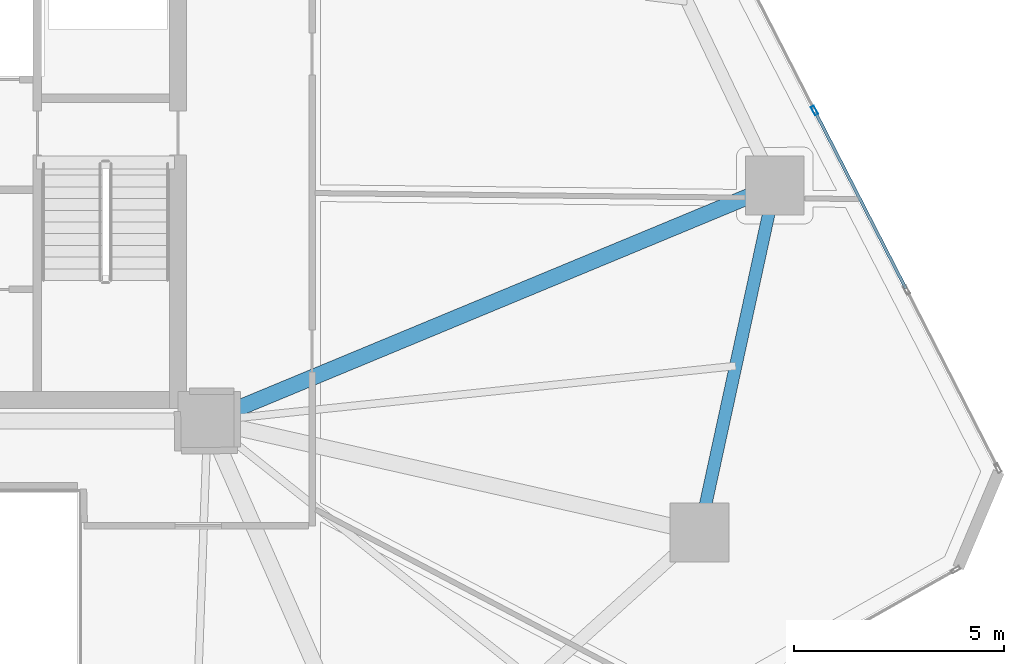
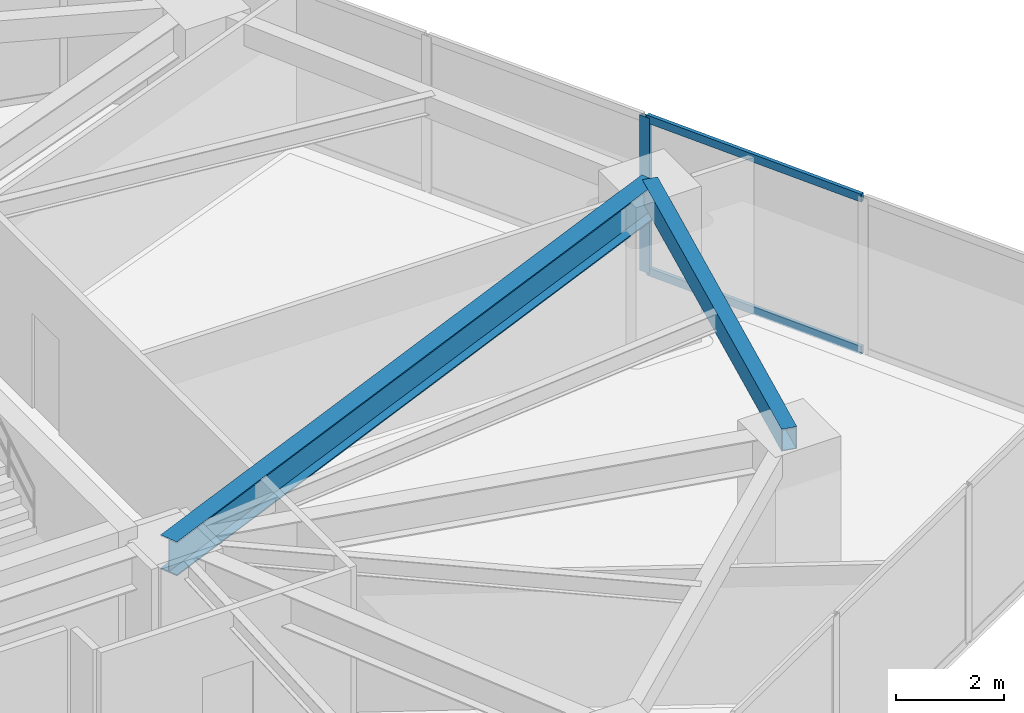
# One storey, part 11 of 23: 3 members, 2 beams, 1 element without a shape of its own.
"""IFC4 building model written with IfcOpenShell, lengths in metres."""

import ifcopenshell
import ifcopenshell.guid

model = None  # the IFC model being written
_history = None  # IfcOwnerHistory: only IFC2X3 demands one
_inside = {}  # id of a spatial element -> (the spatial element, [elements in it])
_under = {}  # id of a project, library or spatial element -> (it, [spatial elements below it])
_declared = {}  # id of a project -> (the project, [libraries it declares])
_typed = {}  # id of a type object -> (the type object, [elements of that type])
_made_of = {}  # id of a material, layer set ... -> (it, [elements and type objects made of it])


def new_model(schema):
    """Start an empty IFC model of exactly this schema.

    Asked for "IFC4X3", IfcOpenShell would pick the latest addendum, in which some entities
    have other attributes; the version numbers below select the first issue.
    IFC2X3 requires an IfcOwnerHistory on every rooted entity: one is made here for all.
    """
    global model, _history
    if schema == "IFC4X3":
        model = ifcopenshell.file(schema_version=(4, 3, 0, 0))
    else:
        model = ifcopenshell.file(schema=schema)
    _inside.clear()
    _under.clear()
    _declared.clear()
    _typed.clear()
    _made_of.clear()
    _history = None
    if model.schema == "IFC2X3":
        org = make("IfcOrganization", Name="unknown")
        user = make(
            "IfcPersonAndOrganization",
            ThePerson=make("IfcPerson", FamilyName="unknown"),
            TheOrganization=org,
        )
        app = make(
            "IfcApplication",
            ApplicationDeveloper=org,
            Version="unknown",
            ApplicationFullName="unknown",
            ApplicationIdentifier="unknown",
        )
        _history = make(
            "IfcOwnerHistory",
            OwningUser=user,
            OwningApplication=app,
            ChangeAction="ADDED",
            CreationDate=0,
        )
    return model


def make(cls, **values):
    """One entity of the class cls with the attributes given. An attribute that is None is left unset."""
    return model.create_entity(
        cls, **{name: value for name, value in values.items() if value is not None}
    )


def rooted(cls, **values):
    """An entity with a GlobalId (a new one), such as an element, a storey or a relation."""
    return make(cls, GlobalId=ifcopenshell.guid.new(), OwnerHistory=_history, **values)


def si_unit(unit_type, name, prefix=None):
    """IfcSIUnit, for example si_unit("LENGTHUNIT", "METRE", prefix="MILLI")."""
    return make("IfcSIUnit", UnitType=unit_type, Prefix=prefix, Name=name)


def assignment(units):
    """IfcUnitAssignment: the units of a project."""
    return None if units is None else make("IfcUnitAssignment", Units=units)


def point(xyz):
    """IfcCartesianPoint."""
    return None if xyz is None else make("IfcCartesianPoint", Coordinates=xyz)


def direction(xyz):
    """IfcDirection."""
    return None if xyz is None else make("IfcDirection", DirectionRatios=xyz)


def frame(location, z_axis=None, x_axis=None):
    """IfcAxis2Placement3D, a coordinate frame: its origin and axes. An axis left out is left unset."""
    return make(
        "IfcAxis2Placement3D",
        Location=point(location),
        Axis=direction(z_axis),
        RefDirection=direction(x_axis),
    )


def frame_2d(location, x_axis=None):
    """IfcAxis2Placement2D, a coordinate frame in the plane: its origin and x axis."""
    return make(
        "IfcAxis2Placement2D", Location=point(location), RefDirection=direction(x_axis)
    )


def origin():
    """The frame at (0, 0, 0) with its axes left unset."""
    return frame((0.0, 0.0, 0.0))


def origin_2d():
    """The frame at (0, 0) in the plane with its x axis left unset."""
    return frame_2d((0.0, 0.0))


def place(relative_to, where):
    """IfcLocalPlacement: puts the frame where relative to a parent placement (None: the world)."""
    return make(
        "IfcLocalPlacement", PlacementRelTo=relative_to, RelativePlacement=where
    )


def context(
    kind, dimensions, precision=None, world=None, true_north=None, identifier=None
):
    """IfcGeometricRepresentationContext, for example the 3D "Model" context."""
    return make(
        "IfcGeometricRepresentationContext",
        ContextIdentifier=identifier,
        ContextType=kind,
        CoordinateSpaceDimension=dimensions,
        Precision=precision,
        WorldCoordinateSystem=world,
        TrueNorth=true_north,
    )


def subcontext(parent, identifier, kind, view, scale=None):
    """IfcGeometricRepresentationSubContext, for example "Body" below "Model"."""
    return make(
        "IfcGeometricRepresentationSubContext",
        ContextIdentifier=identifier,
        ContextType=kind,
        ParentContext=parent,
        TargetScale=scale,
        TargetView=view,
    )


def project(units=None, contexts=None):
    """IfcProject with its units and contexts."""
    return rooted(
        "IfcProject",
        Name="project",
        RepresentationContexts=contexts,
        UnitsInContext=assignment(units),
    )


def spatial(cls, under=None, at=None, **own):
    """A site, building, storey or space (cls), placed at a placement, below another one or the project."""
    s = rooted(cls, ObjectPlacement=at, **own)
    if under is not None:
        _under.setdefault(under.id(), (under, []))[1].append(s)
    return s


def profile(cls, at=None, kind="AREA", **sizes):
    """A parametric profile (cls). Its sizes go by their IFC names, for example OverallWidth=200.0."""
    return make(cls, ProfileType=kind, Position=at, **sizes)


def hollow_rectangle(**sizes):
    """IfcRectangleHollowProfileDef."""
    return profile("IfcRectangleHollowProfileDef", **sizes)


def i_section(**sizes):
    """IfcIShapeProfileDef."""
    return profile("IfcIShapeProfileDef", **sizes)


def extrude(swept, where, along, depth):
    """IfcExtrudedAreaSolid: the profile swept, set in the frame where, extruded along a direction by depth."""
    return make(
        "IfcExtrudedAreaSolid",
        SweptArea=swept,
        Position=where,
        ExtrudedDirection=direction(along),
        Depth=depth,
    )


def shape(context_of_items, identifier, shape_type, items):
    """IfcShapeRepresentation: the items that make up one representation, for example the "Body"."""
    return make(
        "IfcShapeRepresentation",
        ContextOfItems=context_of_items,
        RepresentationIdentifier=identifier,
        RepresentationType=shape_type,
        Items=items,
    )


def source(mapping_origin, context_of_items, identifier, shape_type, items):
    """IfcRepresentationMap: a shape defined once, which mapped items show again and again."""
    return make(
        "IfcRepresentationMap",
        MappingOrigin=mapping_origin,
        MappedRepresentation=shape(context_of_items, identifier, shape_type, items),
    )


def transform(
    local_origin,
    x_axis=None,
    y_axis=None,
    z_axis=None,
    scale=None,
    scale2=None,
    scale3=None,
    uniform=True,
):
    """IfcCartesianTransformationOperator3D, or its non-uniform kind. x_axis, y_axis, z_axis: its Axis1, 2, 3."""
    if uniform:
        return make(
            "IfcCartesianTransformationOperator3D",
            Axis1=direction(x_axis),
            Axis2=direction(y_axis),
            LocalOrigin=point(local_origin),
            Scale=scale,
            Axis3=direction(z_axis),
        )
    return make(
        "IfcCartesianTransformationOperator3DnonUniform",
        Axis1=direction(x_axis),
        Axis2=direction(y_axis),
        LocalOrigin=point(local_origin),
        Scale=scale,
        Axis3=direction(z_axis),
        Scale2=scale2,
        Scale3=scale3,
    )


def mapped(mapping_source, mapping_target):
    """IfcMappedItem: shows the shape of a source again, moved by a transform."""
    return make(
        "IfcMappedItem", MappingSource=mapping_source, MappingTarget=mapping_target
    )


def material(Name=None, Category=None):
    """IfcMaterial."""
    return make("IfcMaterial", Name=Name, Category=Category)


def layer(
    of_material, thickness, ventilated=None, Name=None, Category=None, Priority=None
):
    """IfcMaterialLayer: one layer of a wall or slab, of a material (None: an air gap)."""
    return make(
        "IfcMaterialLayer",
        Material=of_material,
        LayerThickness=thickness,
        IsVentilated=ventilated,
        Name=Name,
        Category=Category,
        Priority=Priority,
    )


def layer_set(layers, Name=None):
    """IfcMaterialLayerSet."""
    return make("IfcMaterialLayerSet", MaterialLayers=layers, LayerSetName=Name)


def material_profile(
    of_material, cross_section, Name=None, Category=None, Priority=None
):
    """IfcMaterialProfile: a cross section and its material."""
    return make(
        "IfcMaterialProfile",
        Name=Name,
        Material=of_material,
        Profile=cross_section,
        Priority=Priority,
        Category=Category,
    )


def profile_set(profiles, Name=None, composite=None):
    """IfcMaterialProfileSet."""
    return make(
        "IfcMaterialProfileSet",
        Name=Name,
        MaterialProfiles=profiles,
        CompositeProfile=composite,
    )


def made_of(thing, what):
    """Note that an element or type object is made of a material, layer set ...; save() writes the relation."""
    if what is not None:
        _made_of.setdefault(what.id(), (what, []))[1].append(thing)
    return thing


def type_object(cls, material=None, **own):
    """A type object (cls), such as IfcWallType, which elements share."""
    return made_of(rooted(cls, **own), material)


def type_shapes(of_type, sources):
    """Give a type object the sources (RepresentationMaps) that its elements show as mapped items."""
    of_type.RepresentationMaps = sources


def element(
    cls,
    number,
    at=None,
    inside=None,
    cuts=None,
    type_object=None,
    material=None,
    context=None,
    identifier="Body",
    shape_type=None,
    held_by="IfcProductDefinitionShape",
    body=None,
    shapes=None,
    **own,
):
    """One element of the class cls, such as IfcWall. Its Tag is "e" and its number.

    at: its placement. inside: the storey or other place that contains it. cuts: it is an
    opening in that element (IfcRelVoidsElement). A single representation is given by context,
    identifier, shape_type and body (its items); several are given by shapes. held_by: the class
    of the entity that holds the representations. save() writes the other relations.
    """
    e = rooted(cls, Tag="e%d" % number, ObjectPlacement=at, **own)
    if body is not None:
        shapes = [shape(context, identifier, shape_type, body)]
    if shapes is not None:
        e.Representation = make(held_by, Representations=shapes)
    if inside is not None:
        _inside.setdefault(inside.id(), (inside, []))[1].append(e)
    if cuts is not None:
        rooted(
            "IfcRelVoidsElement", RelatingBuildingElement=cuts, RelatedOpeningElement=e
        )
    if type_object is not None:
        _typed.setdefault(type_object.id(), (type_object, []))[1].append(e)
    return made_of(e, material)


def aggregate(whole, parts):
    """IfcRelAggregates: a whole, such as a stair, and the parts it consists of."""
    return rooted("IfcRelAggregates", RelatingObject=whole, RelatedObjects=parts)


def save(model, path):
    """Write the relations noted so far, then the file.

    IfcRelAggregates (storeys below a building ...), IfcRelContainedInSpatialStructure (elements
    in a storey), IfcRelDefinesByType, IfcRelAssociatesMaterial and IfcRelDeclares: one each for
    every whole, place, type object, material and project.
    """
    for whole, parts in _under.values():
        aggregate(whole, parts)
    for where, things in _inside.values():
        rooted(
            "IfcRelContainedInSpatialStructure",
            RelatedElements=things,
            RelatingStructure=where,
        )
    for kind, things in _typed.values():
        rooted("IfcRelDefinesByType", RelatedObjects=things, RelatingType=kind)
    for what, things in _made_of.values():
        rooted("IfcRelAssociatesMaterial", RelatedObjects=things, RelatingMaterial=what)
    for by, libraries in _declared.values():
        rooted("IfcRelDeclares", RelatingContext=by, RelatedDefinitions=libraries)
    model.write(path)


model = new_model("IFC4")

# Units and contexts
model_context = context("Model", 3, precision=1e-05, world=origin(), true_north=direction((0.0, 1.0)))
body_context = subcontext(model_context, "Body", "Model", "MODEL_VIEW")
ifc_project = project(units=[si_unit("LENGTHUNIT", "METRE"), si_unit("AREAUNIT", "SQUARE_METRE"), si_unit("VOLUMEUNIT", "CUBIC_METRE"), si_unit("PLANEANGLEUNIT", "RADIAN"), si_unit("MASSUNIT", "GRAM", prefix="KILO")], contexts=[model_context])

# Site, building, storey
site_placement = place(None, origin())
site = spatial("IfcSite", under=ifc_project, at=site_placement, CompositionType="ELEMENT")
building_placement = place(site_placement, origin())
building = spatial("IfcBuilding", under=site, at=building_placement, Name="Talar Marvaseh", CompositionType="ELEMENT")
storey_placement = place(building_placement, frame((0.0, 0.0, 46.800048828125)))
storey = spatial("IfcBuildingStorey", under=building, at=storey_placement, Name="L11", CompositionType="ELEMENT", Elevation=46.800048828125)

# Beams
ifc_material_1 = material(Name="Steel S355", Category="steel")
ifc_material_profile_1 = material_profile(ifc_material_1, hollow_rectangle(XDim=0.300048828125, YDim=0.5, WallThickness=0.02001953125, at=origin_2d()), Name="RHS500x300x20")
ifc_profile_set_1 = profile_set([ifc_material_profile_1], Name="Steel S355")
beam_type_1 = type_object("IfcBeamType", Name="Zone 1 Perimeter Spandrel Beam RHS500x300x20", PredefinedType="SPANDREL", material=ifc_profile_set_1)
beam_1_placement = place(storey_placement, frame((46.841064453125, 31.118896484375, 3.27001953125), z_axis=(-0.212134113363, -0.977240562987, 0.0), x_axis=(0.977240562987, -0.212134113363, 0.0)))
element("IfcBeam", 1, at=beam_1_placement, inside=storey, type_object=beam_type_1, Name="L11 Zone 1 Perimeter Spandrel Beam RHS500x300x20", PredefinedType="SPANDREL", context=body_context, shape_type="SweptSolid", body=[
    extrude(hollow_rectangle(XDim=0.300048828125, YDim=0.5, WallThickness=0.02001953125, at=origin_2d()), origin(), (0.0, 0.0, 1.0), 8.4716796875),
])
ifc_material_profile_2 = material_profile(ifc_material_1, i_section(OverallWidth=0.381103515625, OverallDepth=0.77294921875, WebThickness=0.0166015625, FlangeThickness=0.027099609375, at=origin_2d()), Name="W760x257")
ifc_profile_set_2 = profile_set([ifc_material_profile_2], Name="Steel S355")
beam_type_2 = type_object("IfcBeamType", Name="Zone 1 Radial Floor Girder W760x257", PredefinedType="BEAM", material=ifc_profile_set_2)
beam_2_placement = place(storey_placement, frame((46.841064453125, 31.118896484375, 3.133544921875), z_axis=(-0.923637605375, -0.383266974753, 0.0), x_axis=(0.383266974753, -0.923637605375, 0.0)))
element("IfcBeam", 2, at=beam_2_placement, inside=storey, type_object=beam_type_2, Name="L11 Zone 1 Radial Floor Girder W760x257", PredefinedType="BEAM", context=body_context, shape_type="SweptSolid", body=[
    extrude(i_section(OverallWidth=0.381103515625, OverallDepth=0.77294921875, WebThickness=0.0166015625, FlangeThickness=0.027099609375, at=origin_2d()), origin(), (0.0, 0.0, 1.0), 14.66064453125),
])

# Curtain wall, members
ifc_material_2 = material(Name="Architectural Aluminium", Category="aluminium")
ifc_layer = layer(ifc_material_2, 0.219970703125)
ifc_layer_set = layer_set([ifc_layer], Name="Architectural Aluminium")
curtain_wall_type = type_object("IfcCurtainWallType", Name="Unitised Low-E Museum Curtain Wall Z1", PredefinedType="NOTDEFINED", material=ifc_layer_set)
curtain_wall_placement = place(storey_placement, origin())
curtain_wall = element("IfcCurtainWall", 3, at=curtain_wall_placement, inside=storey, type_object=curtain_wall_type, Name="L11 Unitised Low-E Museum Curtain Wall Z1", PredefinedType="NOTDEFINED")
ifc_material_profile_3 = material_profile(ifc_material_2, hollow_rectangle(XDim=0.080078125, YDim=0.219970703125, WallThickness=0.0048828125, at=origin_2d()), Name="RHS220x80x5")
ifc_profile_set_3 = profile_set([ifc_material_profile_3], Name="Architectural Aluminium")
member_type_1 = type_object("IfcMemberType", Name="Unitised Curtain Wall Heavy Mullion RHS220x80x5", PredefinedType="MULLION", material=ifc_profile_set_3)
shared_shape_1 = source(origin(), body_context, "Body", "SweptSolid", [
    extrude(hollow_rectangle(XDim=0.080078125, YDim=0.219970703125, WallThickness=0.0048828125, at=origin_2d()), origin(), (0.0, 0.0, 1.0), 3.52001953125),
])
type_shapes(member_type_1, [shared_shape_1])
member_1_placement = place(storey_placement, frame((47.78662109375, 32.91015625, 0.0), z_axis=(0.0, 0.0, 1.0), x_axis=(0.889785469993, 0.456379028209, 0.0)))
member_1 = element("IfcMember", 4, at=member_1_placement, type_object=member_type_1, Name="CW-Z1 mullion 3", PredefinedType="MULLION", context=body_context, shape_type="MappedRepresentation", body=[
    mapped(shared_shape_1, transform((0.0, 0.0, 0.0), x_axis=(1.0, 0.0, 0.0), y_axis=(0.0, 1.0, 0.0), z_axis=(0.0, 0.0, 1.0), scale=1.0)),
])
ifc_material_profile_4 = material_profile(ifc_material_2, hollow_rectangle(XDim=0.074951171875, YDim=0.179931640625, WallThickness=0.0048828125, at=origin_2d()), Name="RHS180x75x5")
ifc_profile_set_4 = profile_set([ifc_material_profile_4], Name="Architectural Aluminium")
member_type_2 = type_object("IfcMemberType", Name="Unitised Curtain Wall Transom RHS180x75x5", PredefinedType="USERDEFINED", material=ifc_profile_set_4)
shared_shape_2 = source(origin(), body_context, "Body", "SweptSolid", [
    extrude(hollow_rectangle(XDim=0.074951171875, YDim=0.179931640625, WallThickness=0.0048828125, at=origin_2d()), origin(), (0.0, 0.0, 1.0), 4.736328125),
])
type_shapes(member_type_2, [shared_shape_2])
member_2_placement = place(storey_placement, frame((47.804931640625, 32.87451171875, 0.037353515625), z_axis=(0.456385713716, -0.889782040904, 0.0), x_axis=(0.889782040904, 0.456385713716, 0.0)))
member_2 = element("IfcMember", 5, at=member_2_placement, type_object=member_type_2, Name="CW-Z1 transom 3.1", ObjectType="TRANSOM", PredefinedType="USERDEFINED", context=body_context, shape_type="MappedRepresentation", body=[
    mapped(shared_shape_2, transform((0.0, 0.0, 0.0), x_axis=(1.0, 0.0, 0.0), y_axis=(0.0, 1.0, 0.0), z_axis=(0.0, 0.0, 1.0), scale=1.0)),
])
member_3_placement = place(storey_placement, frame((47.804931640625, 32.87451171875, 3.482421875), z_axis=(0.456385713716, -0.889782040904, 0.0), x_axis=(0.889782040904, 0.456385713716, 0.0)))
member_3 = element("IfcMember", 6, at=member_3_placement, type_object=member_type_2, Name="CW-Z1 transom 3.2", ObjectType="TRANSOM", PredefinedType="USERDEFINED", context=body_context, shape_type="MappedRepresentation", body=[
    mapped(shared_shape_2, transform((0.0, 0.0, 0.0), x_axis=(1.0, 0.0, 0.0), y_axis=(0.0, 1.0, 0.0), z_axis=(0.0, 0.0, 1.0), scale=1.0)),
])
aggregate(curtain_wall, [member_1, member_2, member_3])

save(model, "model.ifc")
